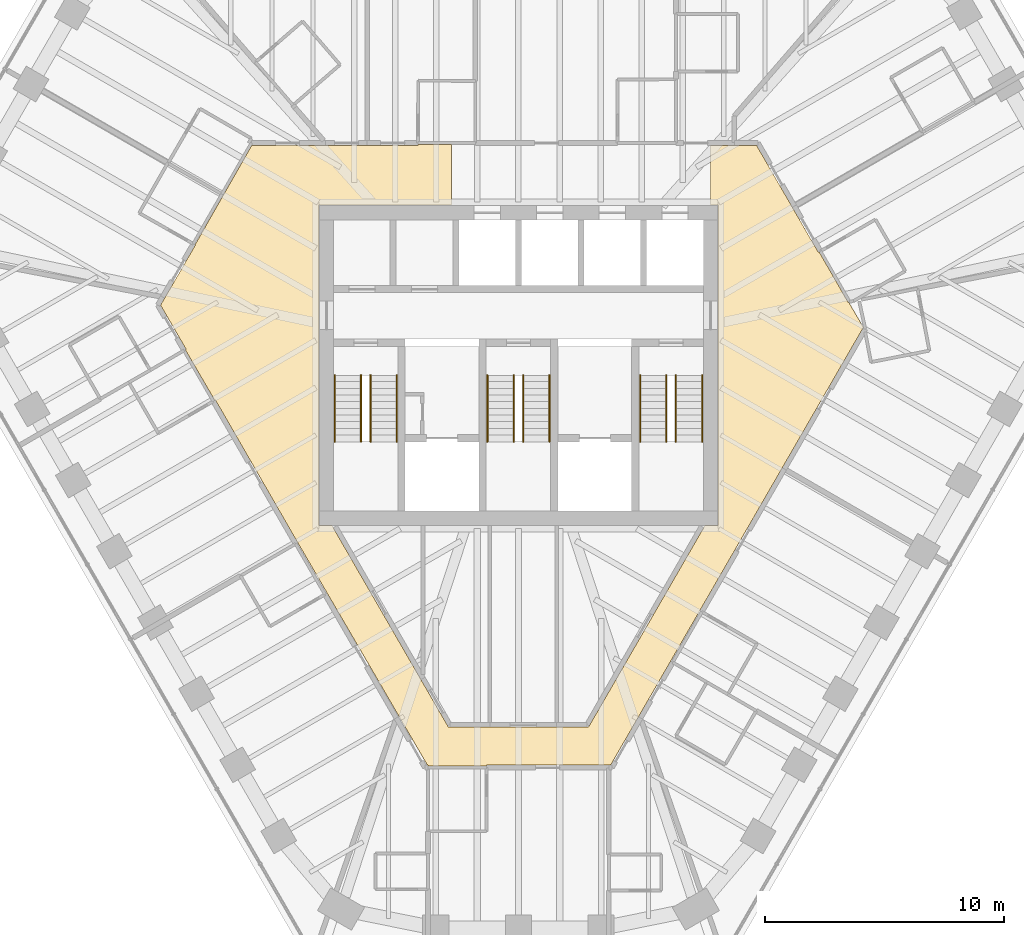
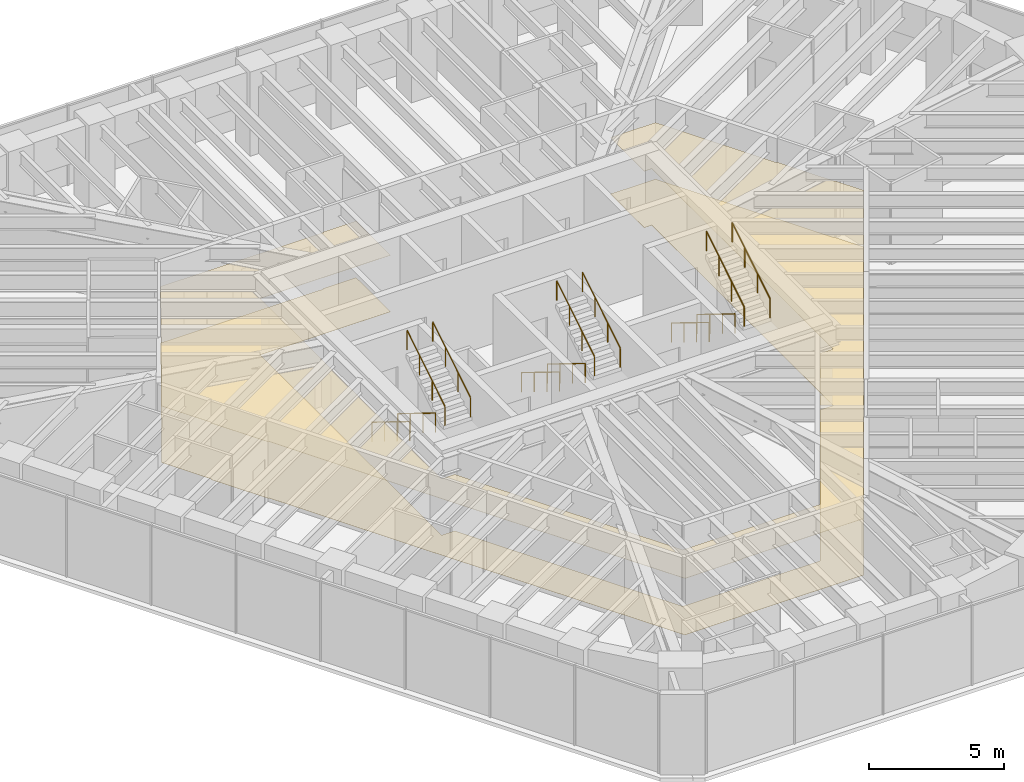
# One storey, part 14 of 14: 12 railings, 2 coverings.
"""IFC4 building model written with IfcOpenShell, lengths in metres."""

from ifc_helpers import new_model, si_unit, direction, frame, origin, origin_2d, place, context, subcontext, project, spatial, polyline, circle, outline, extrude, material, layer, layer_set, type_object, element, save


model = new_model("IFC4")

# Units and contexts
model_context = context("Model", 3, precision=1e-05, world=origin(), true_north=direction((0.0, 1.0)))
body_context = subcontext(model_context, "Body", "Model", "MODEL_VIEW")
ifc_project = project(units=[si_unit("LENGTHUNIT", "METRE"), si_unit("AREAUNIT", "SQUARE_METRE"), si_unit("VOLUMEUNIT", "CUBIC_METRE"), si_unit("PLANEANGLEUNIT", "RADIAN"), si_unit("MASSUNIT", "GRAM", prefix="KILO")], contexts=[model_context])

# Site, building, storey
site_placement = place(None, origin())
site = spatial("IfcSite", under=ifc_project, at=site_placement, CompositionType="ELEMENT")
building_placement = place(site_placement, origin())
building = spatial("IfcBuilding", under=site, at=building_placement, Name="Sandreach Pilgrim Tower", CompositionType="ELEMENT")
storey_placement = place(building_placement, frame((0.0, 0.0, 264.60009765625)))
storey = spatial("IfcBuildingStorey", under=building, at=storey_placement, Name="L66", CompositionType="ELEMENT", Elevation=264.60009765625)

# Coverings
ifc_material_1 = material(Name="Nylon carpet tile on the slab", Category="textile")
ifc_layer_1 = layer(ifc_material_1, 0.008056640625)
ifc_layer_set_1 = layer_set([ifc_layer_1], Name="Carpet tile")
covering_type_1 = type_object("IfcCoveringType", Name="Carpet tile", PredefinedType="FLOORING", material=ifc_layer_set_1)
covering_1_placement = place(storey_placement, origin())
element("IfcCovering", 1, at=covering_1_placement, inside=storey, type_object=covering_type_1, Name="Floor finish 66C Corridor 66", PredefinedType="FLOORING", context=body_context, shape_type="SweptSolid", body=[
    extrude(outline(polyline([(-15.004150390625, 2.529541015625), (-13.54345703125, 5.0498046875), (-13.559814453125, 5.059326171875), (-11.178466796875, 9.22998046875), (-4.2099609375, 9.22998046875), (-4.2099609375, 9.26318359375), (-2.800048828125, 9.27001953125), (-2.800048828125, 6.719970703125), (-8.3701171875, 6.719970703125), (-8.3701171875, -6.719970703125), (-7.812744140625, -6.719970703125), (-2.937744140625, -15.159912109375), (2.937744140625, -15.159912109375), (7.812744140625, -6.719970703125), (8.3701171875, -6.719970703125), (8.3701171875, 6.719970703125), (8.050048828125, 6.719970703125), (8.050048828125, 9.22998046875), (9.982177734375, 9.22998046875), (12.576171875, 4.741455078125), (12.607666015625, 4.759765625), (13.827880859375, 2.64013671875), (13.846435546875, 2.650634765625), (14.464111328125, 1.5986328125), (3.8623046875, -16.760009765625), (-1.340087890625, -16.760009765625), (-1.340087890625, -16.787109375), (-3.7900390625, -16.800048828125), (-3.7900390625, -16.760009765625), (-3.813232421875, -16.760009765625), (-9.378173828125, -7.213623046875), (-12.703369140625, -1.449951171875), (-12.729248046875, -1.465087890625), (-13.968017578125, 0.66015625), (-13.93359375, 0.68017578125), (-15.004150390625, 2.529541015625)])), origin(), (0.0, 0.0, 1.0), 0.0078125),
])
ifc_material_2 = material(Name="Gypsum board suspended ceiling on a steel grid", Category="steel")
ifc_layer_2 = layer(ifc_material_2, 0.012939453125)
ifc_layer_set_2 = layer_set([ifc_layer_2], Name="Gypsum board suspended ceiling")
covering_type_2 = type_object("IfcCoveringType", Name="Gypsum board suspended ceiling", PredefinedType="CEILING", material=ifc_layer_set_2)
covering_2_placement = place(storey_placement, frame((0.0, 0.0, 2.5498046875)))
element("IfcCovering", 2, at=covering_2_placement, inside=storey, type_object=covering_type_2, Name="Ceiling 66C Corridor 66", PredefinedType="CEILING", context=body_context, shape_type="SweptSolid", body=[
    extrude(outline(polyline([(-15.004150390625, 2.529541015625), (-13.54345703125, 5.0498046875), (-13.559814453125, 5.059326171875), (-11.178466796875, 9.22998046875), (-4.2099609375, 9.22998046875), (-4.2099609375, 9.26318359375), (-2.800048828125, 9.27001953125), (-2.800048828125, 6.719970703125), (-8.3701171875, 6.719970703125), (-8.3701171875, -6.719970703125), (-7.812744140625, -6.719970703125), (-2.937744140625, -15.159912109375), (2.937744140625, -15.159912109375), (7.812744140625, -6.719970703125), (8.3701171875, -6.719970703125), (8.3701171875, 6.719970703125), (8.050048828125, 6.719970703125), (8.050048828125, 9.22998046875), (9.982177734375, 9.22998046875), (12.576171875, 4.741455078125), (12.607666015625, 4.759765625), (13.827880859375, 2.64013671875), (13.846435546875, 2.650634765625), (14.464111328125, 1.5986328125), (3.8623046875, -16.760009765625), (-1.340087890625, -16.760009765625), (-1.340087890625, -16.787109375), (-3.7900390625, -16.800048828125), (-3.7900390625, -16.760009765625), (-3.813232421875, -16.760009765625), (-9.378173828125, -7.213623046875), (-12.703369140625, -1.449951171875), (-12.729248046875, -1.465087890625), (-13.968017578125, 0.66015625), (-13.93359375, 0.68017578125), (-15.004150390625, 2.529541015625)])), origin(), (0.0, 0.0, 1.0), 0.01318359375),
])

# Railings
ifc_material_3 = material(Name="Stainless steel tube", Category="steel")
railing_type = type_object("IfcRailingType", Name="Stair handrail", PredefinedType="HANDRAIL", material=ifc_material_3)
for number, where, name in (
    (3, (-6.60009765625, -0.39990234375, 0.172607421875), "Handrail ST1 L66 flight 1"),
    (4, (-7.699951171875, -0.39990234375, 0.172607421875), "Handrail ST1 L66 flight 1"),
):
    element("IfcRailing", number, at=place(storey_placement, frame(where)), inside=storey, type_object=railing_type, Name=name, PredefinedType="HANDRAIL", context=body_context, shape_type="SweptSolid", body=[
        extrude(circle(Radius=0.02392578125, at=origin_2d()), frame((0.0, 0.0, 0.8759765625), z_axis=(0.0, -0.851089632645, 0.525020415988), x_axis=(1.0, 0.0, 0.0)), (0.0, 0.0, 1.0), 3.2900390625),
        extrude(circle(Radius=0.02099609375, at=origin_2d()), origin(), (0.0, 0.0, 1.0), 0.851806640625),
        extrude(circle(Radius=0.02099609375, at=origin_2d()), frame((0.0, -0.933349609375, 0.57568359375)), (0.0, 0.0, 1.0), 0.851806640625),
        extrude(circle(Radius=0.02099609375, at=origin_2d()), frame((0.0, -1.86669921875, 1.151611328125)), (0.0, 0.0, 1.0), 0.851806640625),
        extrude(circle(Radius=0.02099609375, at=origin_2d()), frame((0.0, -2.800048828125, 1.727294921875)), (0.0, 0.0, 1.0), 0.851806640625),
    ])
for number, where, name in (
    (5, (-6.199951171875, -3.199951171875, 2.072509765625), "Handrail ST1 L66 flight 2"),
    (6, (-5.10009765625, -3.199951171875, 2.072509765625), "Handrail ST1 L66 flight 2"),
):
    element("IfcRailing", number, at=place(storey_placement, frame(where)), inside=storey, type_object=railing_type, Name=name, PredefinedType="HANDRAIL", context=body_context, shape_type="SweptSolid", body=[
        extrude(circle(Radius=0.02392578125, at=origin_2d()), frame((0.0, 0.0, 0.8759765625), z_axis=(0.0, 0.851089632645, 0.525020415988), x_axis=(-1.0, 0.0, 0.0)), (0.0, 0.0, 1.0), 3.2900390625),
        extrude(circle(Radius=0.02099609375, at=origin_2d()), origin(), (0.0, 0.0, 1.0), 0.851806640625),
        extrude(circle(Radius=0.02099609375, at=origin_2d()), frame((0.0, 0.933349609375, 0.57568359375)), (0.0, 0.0, 1.0), 0.851806640625),
        extrude(circle(Radius=0.02099609375, at=origin_2d()), frame((0.0, 1.86669921875, 1.151611328125)), (0.0, 0.0, 1.0), 0.851806640625),
        extrude(circle(Radius=0.02099609375, at=origin_2d()), frame((0.0, 2.800048828125, 1.727294921875)), (0.0, 0.0, 1.0), 0.851806640625),
    ])
for number, where, name in (
    (7, (-0.199951171875, -0.39990234375, 0.172607421875), "Handrail ST3 L66 flight 1"),
    (8, (-1.300048828125, -0.39990234375, 0.172607421875), "Handrail ST3 L66 flight 1"),
):
    element("IfcRailing", number, at=place(storey_placement, frame(where)), inside=storey, type_object=railing_type, Name=name, PredefinedType="HANDRAIL", context=body_context, shape_type="SweptSolid", body=[
        extrude(circle(Radius=0.02392578125, at=origin_2d()), frame((0.0, 0.0, 0.8759765625), z_axis=(0.0, -0.851089632645, 0.525020415988), x_axis=(1.0, 0.0, 0.0)), (0.0, 0.0, 1.0), 3.2900390625),
        extrude(circle(Radius=0.02099609375, at=origin_2d()), origin(), (0.0, 0.0, 1.0), 0.851806640625),
        extrude(circle(Radius=0.02099609375, at=origin_2d()), frame((0.0, -0.933349609375, 0.57568359375)), (0.0, 0.0, 1.0), 0.851806640625),
        extrude(circle(Radius=0.02099609375, at=origin_2d()), frame((0.0, -1.86669921875, 1.151611328125)), (0.0, 0.0, 1.0), 0.851806640625),
        extrude(circle(Radius=0.02099609375, at=origin_2d()), frame((0.0, -2.800048828125, 1.727294921875)), (0.0, 0.0, 1.0), 0.851806640625),
    ])
for number, where, name in (
    (9, (0.199951171875, -3.199951171875, 2.072509765625), "Handrail ST3 L66 flight 2"),
    (10, (1.300048828125, -3.199951171875, 2.072509765625), "Handrail ST3 L66 flight 2"),
):
    element("IfcRailing", number, at=place(storey_placement, frame(where)), inside=storey, type_object=railing_type, Name=name, PredefinedType="HANDRAIL", context=body_context, shape_type="SweptSolid", body=[
        extrude(circle(Radius=0.02392578125, at=origin_2d()), frame((0.0, 0.0, 0.8759765625), z_axis=(0.0, 0.851089632645, 0.525020415988), x_axis=(-1.0, 0.0, 0.0)), (0.0, 0.0, 1.0), 3.2900390625),
        extrude(circle(Radius=0.02099609375, at=origin_2d()), origin(), (0.0, 0.0, 1.0), 0.851806640625),
        extrude(circle(Radius=0.02099609375, at=origin_2d()), frame((0.0, 0.933349609375, 0.57568359375)), (0.0, 0.0, 1.0), 0.851806640625),
        extrude(circle(Radius=0.02099609375, at=origin_2d()), frame((0.0, 1.86669921875, 1.151611328125)), (0.0, 0.0, 1.0), 0.851806640625),
        extrude(circle(Radius=0.02099609375, at=origin_2d()), frame((0.0, 2.800048828125, 1.727294921875)), (0.0, 0.0, 1.0), 0.851806640625),
    ])
for number, where, name in (
    (11, (6.199951171875, -0.39990234375, 0.172607421875), "Handrail ST2 L66 flight 1"),
    (12, (5.10009765625, -0.39990234375, 0.172607421875), "Handrail ST2 L66 flight 1"),
):
    element("IfcRailing", number, at=place(storey_placement, frame(where)), inside=storey, type_object=railing_type, Name=name, PredefinedType="HANDRAIL", context=body_context, shape_type="SweptSolid", body=[
        extrude(circle(Radius=0.02392578125, at=origin_2d()), frame((0.0, 0.0, 0.8759765625), z_axis=(0.0, -0.851089632645, 0.525020415988), x_axis=(1.0, 0.0, 0.0)), (0.0, 0.0, 1.0), 3.2900390625),
        extrude(circle(Radius=0.02099609375, at=origin_2d()), origin(), (0.0, 0.0, 1.0), 0.851806640625),
        extrude(circle(Radius=0.02099609375, at=origin_2d()), frame((0.0, -0.933349609375, 0.57568359375)), (0.0, 0.0, 1.0), 0.851806640625),
        extrude(circle(Radius=0.02099609375, at=origin_2d()), frame((0.0, -1.86669921875, 1.151611328125)), (0.0, 0.0, 1.0), 0.851806640625),
        extrude(circle(Radius=0.02099609375, at=origin_2d()), frame((0.0, -2.800048828125, 1.727294921875)), (0.0, 0.0, 1.0), 0.851806640625),
    ])
for number, where, name in (
    (13, (6.60009765625, -3.199951171875, 2.072509765625), "Handrail ST2 L66 flight 2"),
    (14, (7.699951171875, -3.199951171875, 2.072509765625), "Handrail ST2 L66 flight 2"),
):
    element("IfcRailing", number, at=place(storey_placement, frame(where)), inside=storey, type_object=railing_type, Name=name, PredefinedType="HANDRAIL", context=body_context, shape_type="SweptSolid", body=[
        extrude(circle(Radius=0.02392578125, at=origin_2d()), frame((0.0, 0.0, 0.8759765625), z_axis=(0.0, 0.851089632645, 0.525020415988), x_axis=(-1.0, 0.0, 0.0)), (0.0, 0.0, 1.0), 3.2900390625),
        extrude(circle(Radius=0.02099609375, at=origin_2d()), origin(), (0.0, 0.0, 1.0), 0.851806640625),
        extrude(circle(Radius=0.02099609375, at=origin_2d()), frame((0.0, 0.933349609375, 0.57568359375)), (0.0, 0.0, 1.0), 0.851806640625),
        extrude(circle(Radius=0.02099609375, at=origin_2d()), frame((0.0, 1.86669921875, 1.151611328125)), (0.0, 0.0, 1.0), 0.851806640625),
        extrude(circle(Radius=0.02099609375, at=origin_2d()), frame((0.0, 2.800048828125, 1.727294921875)), (0.0, 0.0, 1.0), 0.851806640625),
    ])

save(model, "model.ifc")
